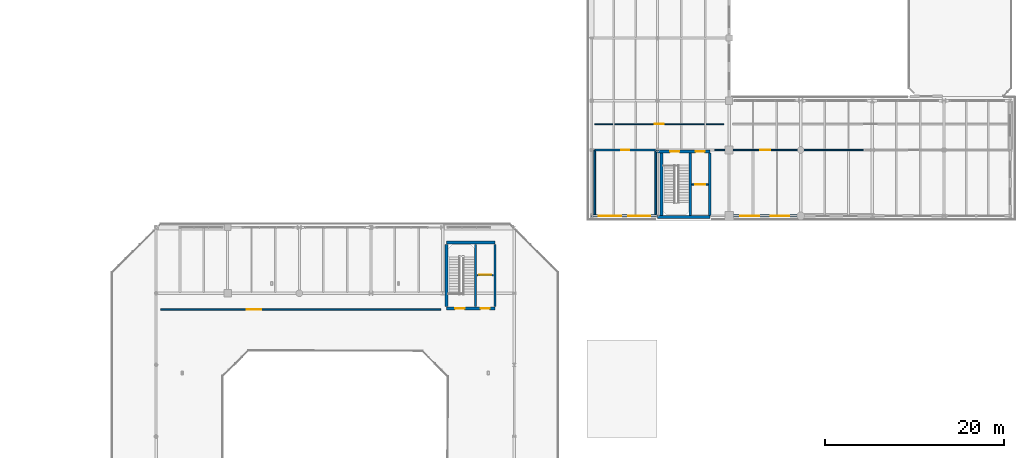
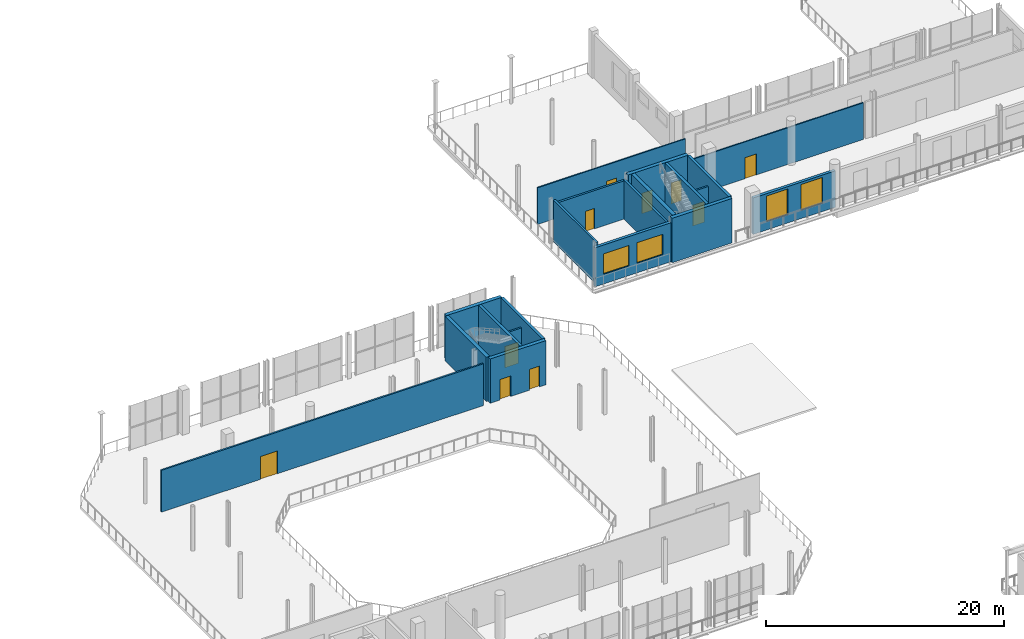
# One storey, part 36 of 51: 20 walls, 10 doors, 4 windows, 14 openings.
"""IFC4 building model written with IfcOpenShell, lengths in metres."""

from ifc_helpers import new_model, si_unit, direction, frame, frame_2d, origin, place, context, subcontext, project, spatial, rectangle, extrude, material, layer, layer_set, type_object, element, fill, save


model = new_model("IFC4")

# Units and contexts
model_context = context("Model", 3, precision=1e-05, world=origin(), true_north=direction((0.0, 1.0)))
body_context = subcontext(model_context, "Body", "Model", "MODEL_VIEW")
ifc_project = project(units=[si_unit("LENGTHUNIT", "METRE"), si_unit("AREAUNIT", "SQUARE_METRE"), si_unit("VOLUMEUNIT", "CUBIC_METRE"), si_unit("PLANEANGLEUNIT", "RADIAN"), si_unit("MASSUNIT", "GRAM", prefix="KILO")], contexts=[model_context])

# Site, building, storey
site_placement = place(None, origin())
site = spatial("IfcSite", under=ifc_project, at=site_placement, CompositionType="ELEMENT")
building_placement = place(site_placement, origin())
building = spatial("IfcBuilding", under=site, at=building_placement, Name="Brisemont Oceanarium", CompositionType="ELEMENT")
storey_placement = place(building_placement, frame((0.0, 0.0, 15.0)))
storey = spatial("IfcBuildingStorey", under=building, at=storey_placement, Name="L03", CompositionType="ELEMENT", Elevation=15.0)

# Wall, openings, windows
ifc_material_1 = material(Name="Beaux-Arts Limestone Cladding Precast Concrete C40/50", Category="masonry")
ifc_layer_1 = layer(ifc_material_1, 0.280029296875)
ifc_layer_set_1 = layer_set([ifc_layer_1], Name="Beaux-Arts Limestone Cladding Precast Concrete C40/50")
wall_type_1 = type_object("IfcWallType", Name="EW-LIME-280", PredefinedType="STANDARD", material=ifc_layer_set_1)
wall_1_placement = place(storey_placement, frame((112.64990234375, 80.64990234375, 0.0), z_axis=(0.0, 0.0, 1.0), x_axis=(1.0, 0.0, 0.0)))
wall_1 = element("IfcWall", 1, at=wall_1_placement, inside=storey, type_object=wall_type_1, Name="Beaux-Arts exterior wall EW-V6S-L03-1", PredefinedType="STANDARD", context=body_context, shape_type="SweptSolid", body=[
    extrude(rectangle(XDim=7.35009765625, YDim=0.280029296875, at=frame_2d((3.675048828125, 0.0))), origin(), (0.0, 0.0, 1.0), 4.007080078125),
])
opening_1_placement = place(wall_1_placement, frame((0.783203125, 0.0, 1.0)))
opening_1 = element("IfcOpeningElement", 2, at=opening_1_placement, cuts=wall_1, Name="Opening WIN-09", PredefinedType="OPENING", context=body_context, shape_type="SweptSolid", body=[
    extrude(rectangle(XDim=2.5, YDim=2.10009765625, at=frame_2d((1.25, 1.050048828125))), frame((0.0, 0.14990234375, 0.0), z_axis=(0.0, -1.0, 0.0), x_axis=(1.0, 0.0, 0.0)), (0.0, 0.0, 1.0), 0.300048828125),
])
opening_2_placement = place(wall_1_placement, frame((4.066650390625, 0.0, 1.0)))
opening_2 = element("IfcOpeningElement", 3, at=opening_2_placement, cuts=wall_1, Name="Opening WIN-09", PredefinedType="OPENING", context=body_context, shape_type="SweptSolid", body=[
    extrude(rectangle(XDim=2.5, YDim=2.10009765625, at=frame_2d((1.25, 1.050048828125))), frame((0.0, 0.14990234375, 0.0), z_axis=(0.0, -1.0, 0.0), x_axis=(1.0, 0.0, 0.0)), (0.0, 0.0, 1.0), 0.300048828125),
])
ifc_material_2 = material(Name="Insulated Low-E Laminated Glass", Category="glass")
window_type_1 = type_object("IfcWindowType", Name="WIN-LAB-2500X2100", PartitioningType="SINGLE_PANEL", PredefinedType="WINDOW", material=ifc_material_2)
window_1_placement = place(opening_1_placement, origin())
window_1 = element("IfcWindow", 4, at=window_1_placement, inside=storey, type_object=window_type_1, Name="WIN-09 facade window 63", OverallHeight=2.10009765625, OverallWidth=2.5, PartitioningType="SINGLE_PANEL", PredefinedType="WINDOW", context=body_context, shape_type="SweptSolid", body=[
    extrude(rectangle(XDim=2.5, YDim=2.10009765625, at=frame_2d((1.25, 1.050048828125))), frame((0.0, 0.030029296875, 0.0), z_axis=(0.0, -1.0, 0.0), x_axis=(1.0, 0.0, 0.0)), (0.0, 0.0, 1.0), 0.06005859375),
])
fill(opening_1, window_1)
window_2_placement = place(opening_2_placement, origin())
window_2 = element("IfcWindow", 5, at=window_2_placement, inside=storey, type_object=window_type_1, Name="WIN-09 facade window 64", OverallHeight=2.10009765625, OverallWidth=2.5, PartitioningType="SINGLE_PANEL", PredefinedType="WINDOW", context=body_context, shape_type="SweptSolid", body=[
    extrude(rectangle(XDim=2.5, YDim=2.10009765625, at=frame_2d((1.25, 1.050048828125))), frame((0.0, 0.030029296875, 0.0), z_axis=(0.0, -1.0, 0.0), x_axis=(1.0, 0.0, 0.0)), (0.0, 0.0, 1.0), 0.06005859375),
])
fill(opening_2, window_2)

wall_2_placement = place(storey_placement, frame((128.0, 80.64990234375, 0.0), z_axis=(0.0, 0.0, 1.0), x_axis=(1.0, 0.0, 0.0)))
wall_2 = element("IfcWall", 6, at=wall_2_placement, inside=storey, type_object=wall_type_1, Name="Beaux-Arts exterior wall EW-V6S-L03-3", PredefinedType="STANDARD", context=body_context, shape_type="SweptSolid", body=[
    extrude(rectangle(XDim=8.0, YDim=0.280029296875, at=frame_2d((4.0, 0.0))), origin(), (0.0, 0.0, 1.0), 3.739990234375),
])
opening_3_placement = place(wall_2_placement, frame((1.2666015625, 0.0, 0.85009765625)))
opening_3 = element("IfcOpeningElement", 7, at=opening_3_placement, cuts=wall_2, Name="Opening WIN-17", PredefinedType="OPENING", context=body_context, shape_type="SweptSolid", body=[
    extrude(rectangle(XDim=2.10009765625, YDim=2.64990234375, at=frame_2d((1.050048828125, 1.324951171875))), frame((0.0, 0.14990234375, 0.0), z_axis=(0.0, -1.0, 0.0), x_axis=(1.0, 0.0, 0.0)), (0.0, 0.0, 1.0), 0.300048828125),
])
opening_4_placement = place(wall_2_placement, frame((4.63330078125, 0.0, 0.85009765625)))
opening_4 = element("IfcOpeningElement", 8, at=opening_4_placement, cuts=wall_2, Name="Opening WIN-17", PredefinedType="OPENING", context=body_context, shape_type="SweptSolid", body=[
    extrude(rectangle(XDim=2.10009765625, YDim=2.64990234375, at=frame_2d((1.050048828125, 1.324951171875))), frame((0.0, 0.14990234375, 0.0), z_axis=(0.0, -1.0, 0.0), x_axis=(1.0, 0.0, 0.0)), (0.0, 0.0, 1.0), 0.300048828125),
])
ifc_material_3 = material(Name="Insulated Low-E Laminated Glass", Category="glass")
window_type_2 = type_object("IfcWindowType", Name="WIN-BA-2100X2650", PartitioningType="SINGLE_PANEL", PredefinedType="WINDOW", material=ifc_material_3)
window_3_placement = place(opening_3_placement, origin())
window_3 = element("IfcWindow", 9, at=window_3_placement, inside=storey, type_object=window_type_2, Name="WIN-17 facade window 71", OverallHeight=2.64990234375, OverallWidth=2.10009765625, PartitioningType="SINGLE_PANEL", PredefinedType="WINDOW", context=body_context, shape_type="SweptSolid", body=[
    extrude(rectangle(XDim=2.10009765625, YDim=2.64990234375, at=frame_2d((1.050048828125, 1.324951171875))), frame((0.0, 0.030029296875, 0.0), z_axis=(0.0, -1.0, 0.0), x_axis=(1.0, 0.0, 0.0)), (0.0, 0.0, 1.0), 0.06005859375),
])
fill(opening_3, window_3)
window_4_placement = place(opening_4_placement, origin())
window_4 = element("IfcWindow", 10, at=window_4_placement, inside=storey, type_object=window_type_2, Name="WIN-17 facade window 72", OverallHeight=2.64990234375, OverallWidth=2.10009765625, PartitioningType="SINGLE_PANEL", PredefinedType="WINDOW", context=body_context, shape_type="SweptSolid", body=[
    extrude(rectangle(XDim=2.10009765625, YDim=2.64990234375, at=frame_2d((1.050048828125, 1.324951171875))), frame((0.0, 0.030029296875, 0.0), z_axis=(0.0, -1.0, 0.0), x_axis=(1.0, 0.0, 0.0)), (0.0, 0.0, 1.0), 0.06005859375),
])
fill(opening_4, window_4)

# Wall, opening, door
ifc_material_4 = material(Name="Moisture-Resistant Gypsum Steel-Stud Partition", Category="steel")
ifc_layer_2 = layer(ifc_material_4, 0.159912109375)
ifc_layer_set_2 = layer_set([ifc_layer_2], Name="Moisture-Resistant Gypsum Steel-Stud Partition")
wall_type_2 = type_object("IfcWallType", Name="IW-FB-160", PredefinedType="PARTITIONING", material=ifc_layer_set_2)
wall_3_placement = place(storey_placement, frame((99.85009765625, 74.02001953125, 0.0), z_axis=(0.0, 0.0, 1.0), x_axis=(1.0, 0.0, 0.0)))
wall_3 = element("IfcWall", 11, at=wall_3_placement, inside=storey, type_object=wall_type_2, Name="Core C2 L03 lift hoistway front wall", PredefinedType="PARTITIONING", context=body_context, shape_type="SweptSolid", body=[
    extrude(rectangle(XDim=1.83984375, YDim=0.159912109375, at=frame_2d((0.919921875, 0.0))), origin(), (0.0, 0.0, 1.0), 3.60009765625),
])
opening_5_placement = place(wall_3_placement, frame((0.27001953125, 0.0, 0.0)))
opening_5 = element("IfcOpeningElement", 12, at=opening_5_placement, cuts=wall_3, Name="Opening LD-02", PredefinedType="OPENING", context=body_context, shape_type="SweptSolid", body=[
    extrude(rectangle(XDim=1.300048828125, YDim=2.199951171875, at=frame_2d((0.64990234375, 1.10009765625))), frame((0.0, 0.08984375, 0.0), z_axis=(0.0, -1.0, 0.0), x_axis=(1.0, 0.0, 0.0)), (0.0, 0.0, 1.0), 0.179931640625),
])
ifc_material_5 = material(Name="Duplex Stainless Steel EN 1.4462", Category="steel")
door_type_1 = type_object("IfcDoorType", Name="DR-LIFT-1300X2200", OperationType="NOTDEFINED", PredefinedType="DOOR", material=ifc_material_5)
door_1_placement = place(opening_5_placement, origin())
door_1 = element("IfcDoor", 13, at=door_1_placement, inside=storey, type_object=door_type_1, Name="Lift landing door LF-02 L03", OperationType="SLIDING_TO_LEFT", OverallHeight=2.199951171875, OverallWidth=1.300048828125, PredefinedType="DOOR", context=body_context, shape_type="SweptSolid", body=[
    extrude(rectangle(XDim=1.300048828125, YDim=2.199951171875, at=frame_2d((0.64990234375, 1.10009765625))), frame((0.0, 0.02490234375, 0.0), z_axis=(0.0, -1.0, 0.0), x_axis=(1.0, 0.0, 0.0)), (0.0, 0.0, 1.0), 0.050048828125),
])
fill(opening_5, door_1)

wall_4_placement = place(storey_placement, frame((123.85009765625, 84.1298828125, 0.0), z_axis=(0.0, 0.0, 1.0), x_axis=(1.0, 0.0, 0.0)))
wall_4 = element("IfcWall", 14, at=wall_4_placement, inside=storey, type_object=wall_type_2, Name="Core C7 L03 lift hoistway front wall", PredefinedType="PARTITIONING", context=body_context, shape_type="SweptSolid", body=[
    extrude(rectangle(XDim=1.83984375, YDim=0.159912109375, at=frame_2d((0.919921875, 0.0))), origin(), (0.0, 0.0, 1.0), 3.60009765625),
])
opening_6_placement = place(wall_4_placement, frame((0.3701171875, 0.0, 0.0)))
opening_6 = element("IfcOpeningElement", 15, at=opening_6_placement, cuts=wall_4, Name="Opening LD-01", PredefinedType="OPENING", context=body_context, shape_type="SweptSolid", body=[
    extrude(rectangle(XDim=1.10009765625, YDim=2.14990234375, at=frame_2d((0.550048828125, 1.074951171875))), frame((0.0, 0.08984375, 0.0), z_axis=(0.0, -1.0, 0.0), x_axis=(1.0, 0.0, 0.0)), (0.0, 0.0, 1.0), 0.179931640625),
])
ifc_material_6 = material(Name="Duplex Stainless Steel EN 1.4462", Category="steel")
door_type_2 = type_object("IfcDoorType", Name="DR-LIFT-1100X2150", OperationType="NOTDEFINED", PredefinedType="DOOR", material=ifc_material_6)
door_2_placement = place(opening_6_placement, origin())
door_2 = element("IfcDoor", 16, at=door_2_placement, inside=storey, type_object=door_type_2, Name="Lift landing door LF-07 L03", OperationType="SLIDING_TO_LEFT", OverallHeight=2.14990234375, OverallWidth=1.10009765625, PredefinedType="DOOR", context=body_context, shape_type="SweptSolid", body=[
    extrude(rectangle(XDim=1.10009765625, YDim=2.14990234375, at=frame_2d((0.550048828125, 1.074951171875))), frame((0.0, 0.02490234375, 0.0), z_axis=(0.0, -1.0, 0.0), x_axis=(1.0, 0.0, 0.0)), (0.0, 0.0, 1.0), 0.050048828125),
])
fill(opening_6, door_2)

wall_5_placement = place(storey_placement, frame((64.5, 70.199951171875, 0.0), z_axis=(0.0, 0.0, 1.0), x_axis=(1.0, 0.0, 0.0)))
wall_5 = element("IfcWall", 17, at=wall_5_placement, inside=storey, type_object=wall_type_2, Name="Beaux-Arts Rotunda Dome Overlook Gallery corridor partition", PredefinedType="PARTITIONING", context=body_context, shape_type="SweptSolid", body=[
    extrude(rectangle(XDim=31.300048828125, YDim=0.159912109375, at=frame_2d((15.64990234375, 0.0))), origin(), (0.0, 0.0, 1.0), 4.2900390625),
])
opening_7_placement = place(wall_5_placement, frame((9.603271484375, 0.0, 0.0)))
opening_7 = element("IfcOpeningElement", 18, at=opening_7_placement, cuts=wall_5, Name="Opening GD-02", PredefinedType="OPENING", context=body_context, shape_type="SweptSolid", body=[
    extrude(rectangle(XDim=1.64990234375, YDim=2.35009765625, at=frame_2d((0.824951171875, 1.175048828125))), frame((0.0, 0.08984375, 0.0), z_axis=(0.0, -1.0, 0.0), x_axis=(1.0, 0.0, 0.0)), (0.0, 0.0, 1.0), 0.179931640625),
])
ifc_material_7 = material(Name="Patinated Architectural Bronze C38500")
door_type_3 = type_object("IfcDoorType", Name="DR-GAL-1650X2350", OperationType="NOTDEFINED", PredefinedType="DOOR", material=ifc_material_7)
door_3_placement = place(opening_7_placement, origin())
door_3 = element("IfcDoor", 19, at=door_3_placement, inside=storey, type_object=door_type_3, Name="GD-02 door to Beaux-Arts Rotunda Dome Overlook Gallery", OperationType="SINGLE_SWING_RIGHT", OverallHeight=2.35009765625, OverallWidth=1.64990234375, PredefinedType="DOOR", context=body_context, shape_type="SweptSolid", body=[
    extrude(rectangle(XDim=1.64990234375, YDim=2.35009765625, at=frame_2d((0.824951171875, 1.175048828125))), frame((0.0, 0.02490234375, 0.0), z_axis=(0.0, -1.0, 0.0), x_axis=(1.0, 0.0, 0.0)), (0.0, 0.0, 1.0), 0.050048828125),
])
fill(opening_7, door_3)

ifc_material_8 = material(Name="Moisture-Resistant Gypsum Steel-Stud Partition", Category="steel")
ifc_layer_3 = layer(ifc_material_8, 0.1201171875)
ifc_layer_set_3 = layer_set([ifc_layer_3], Name="Moisture-Resistant Gypsum Steel-Stud Partition")
wall_type_3 = type_object("IfcWallType", Name="IW-PART-120", PredefinedType="PARTITIONING", material=ifc_layer_set_3)
wall_6_placement = place(storey_placement, frame((126.39990234375, 88.0, 0.0), z_axis=(0.0, 0.0, 1.0), x_axis=(1.0, 0.0, 0.0)))
wall_6 = element("IfcWall", 20, at=wall_6_placement, inside=storey, type_object=wall_type_3, Name="Ichthyology Taxonomy Curatorial Suite corridor partition", PredefinedType="PARTITIONING", context=body_context, shape_type="SweptSolid", body=[
    extrude(rectangle(XDim=16.60009765625, YDim=0.1201171875, at=frame_2d((8.300048828125, 0.0))), origin(), (0.0, 0.0, 1.0), 3.778076171875),
])
opening_8_placement = place(wall_6_placement, frame((5.06884765625, 0.0, 0.0)))
opening_8 = element("IfcOpeningElement", 21, at=opening_8_placement, cuts=wall_6, Name="Opening LB-03", PredefinedType="OPENING", context=body_context, shape_type="SweptSolid", body=[
    extrude(rectangle(XDim=1.1201171875, YDim=2.14990234375, at=frame_2d((0.56005859375, 1.074951171875))), frame((0.0, 0.070068359375, 0.0), z_axis=(0.0, -1.0, 0.0), x_axis=(1.0, 0.0, 0.0)), (0.0, 0.0, 1.0), 0.14013671875),
])
ifc_material_9 = material(Name="Duplex Stainless Steel EN 1.4462", Category="steel")
door_type_4 = type_object("IfcDoorType", Name="DR-LAB-1120X2150", OperationType="NOTDEFINED", PredefinedType="DOOR", material=ifc_material_9)
door_4_placement = place(opening_8_placement, origin())
door_4 = element("IfcDoor", 22, at=door_4_placement, inside=storey, type_object=door_type_4, Name="LB-03 door to Ichthyology Taxonomy Curatorial Suite", OperationType="SINGLE_SWING_RIGHT", OverallHeight=2.14990234375, OverallWidth=1.1201171875, PredefinedType="DOOR", context=body_context, shape_type="SweptSolid", body=[
    extrude(rectangle(XDim=1.1201171875, YDim=2.14990234375, at=frame_2d((0.56005859375, 1.074951171875))), frame((0.0, 0.02490234375, 0.0), z_axis=(0.0, -1.0, 0.0), x_axis=(1.0, 0.0, 0.0)), (0.0, 0.0, 1.0), 0.050048828125),
])
fill(opening_8, door_4)

wall_7_placement = place(storey_placement, frame((113.0, 90.89990234375, 0.0), z_axis=(0.0, 0.0, 1.0), x_axis=(1.0, 0.0, 0.0)))
wall_7 = element("IfcWall", 23, at=wall_7_placement, inside=storey, type_object=wall_type_3, Name="Invertebrate Zoology Research Workroom corridor partition", PredefinedType="PARTITIONING", context=body_context, shape_type="SweptSolid", body=[
    extrude(rectangle(XDim=14.39990234375, YDim=0.1201171875, at=frame_2d((7.199951171875, 0.0))), origin(), (0.0, 0.0, 1.0), 3.778076171875),
])
opening_9_placement = place(wall_7_placement, frame((6.719970703125, 0.0, 0.0)))
opening_9 = element("IfcOpeningElement", 24, at=opening_9_placement, cuts=wall_7, Name="Opening D-02", PredefinedType="OPENING", context=body_context, shape_type="SweptSolid", body=[
    extrude(rectangle(XDim=0.9599609375, YDim=2.10009765625, at=frame_2d((0.47998046875, 1.050048828125))), frame((0.0, 0.070068359375, 0.0), z_axis=(0.0, -1.0, 0.0), x_axis=(1.0, 0.0, 0.0)), (0.0, 0.0, 1.0), 0.14013671875),
])
ifc_material_10 = material(Name="FSC White Oak Solid-Core Fire Door")
door_type_5 = type_object("IfcDoorType", Name="DR-RM-960X2100", OperationType="NOTDEFINED", PredefinedType="DOOR", material=ifc_material_10)
door_5_placement = place(opening_9_placement, origin())
door_5 = element("IfcDoor", 25, at=door_5_placement, inside=storey, type_object=door_type_5, Name="D-02 door to Invertebrate Zoology Research Workroom", OperationType="SINGLE_SWING_RIGHT", OverallHeight=2.10009765625, OverallWidth=0.9599609375, PredefinedType="DOOR", context=body_context, shape_type="SweptSolid", body=[
    extrude(rectangle(XDim=0.9599609375, YDim=2.10009765625, at=frame_2d((0.47998046875, 1.050048828125))), frame((0.0, 0.02490234375, 0.0), z_axis=(0.0, -1.0, 0.0), x_axis=(1.0, 0.0, 0.0)), (0.0, 0.0, 1.0), 0.050048828125),
])
fill(opening_9, door_5)

ifc_material_11 = material(Name="Cementitious Tile-Backer Plumbing Wall")
ifc_layer_4 = layer(ifc_material_11, 0.199951171875)
ifc_layer_set_4 = layer_set([ifc_layer_4], Name="Cementitious Tile-Backer Plumbing Wall")
wall_type_4 = type_object("IfcWallType", Name="IW-PLUMB-200", PredefinedType="PLUMBINGWALL", material=ifc_layer_set_4)
wall_8_placement = place(storey_placement, frame((113.0, 88.0, 0.0), z_axis=(0.0, 0.0, 1.0), x_axis=(1.0, 0.0, 0.0)))
wall_8 = element("IfcWall", 26, at=wall_8_placement, inside=storey, type_object=wall_type_4, Name="Accessible WC corridor partition", PredefinedType="PLUMBINGWALL", context=body_context, shape_type="SweptSolid", body=[
    extrude(rectangle(XDim=6.800048828125, YDim=0.199951171875, at=frame_2d((3.39990234375, 0.0))), origin(), (0.0, 0.0, 1.0), 3.931884765625),
])
opening_10_placement = place(wall_8_placement, frame((2.945068359375, 0.0, 0.0)))
opening_10 = element("IfcOpeningElement", 27, at=opening_10_placement, cuts=wall_8, Name="Opening D-03", PredefinedType="OPENING", context=body_context, shape_type="SweptSolid", body=[
    extrude(rectangle(XDim=0.909912109375, YDim=2.10009765625, at=frame_2d((0.455078125, 1.050048828125))), frame((0.0, 0.10986328125, 0.0), z_axis=(0.0, -1.0, 0.0), x_axis=(1.0, 0.0, 0.0)), (0.0, 0.0, 1.0), 0.219970703125),
])
ifc_material_12 = material(Name="FSC White Oak Solid-Core Fire Door")
door_type_6 = type_object("IfcDoorType", Name="DR-WC-910X2100", OperationType="NOTDEFINED", PredefinedType="DOOR", material=ifc_material_12)
door_6_placement = place(opening_10_placement, origin())
door_6 = element("IfcDoor", 28, at=door_6_placement, inside=storey, type_object=door_type_6, Name="D-03 door to Accessible WC", OperationType="SINGLE_SWING_LEFT", OverallHeight=2.10009765625, OverallWidth=0.909912109375, PredefinedType="DOOR", context=body_context, shape_type="SweptSolid", body=[
    extrude(rectangle(XDim=0.909912109375, YDim=2.10009765625, at=frame_2d((0.455078125, 1.050048828125))), frame((0.0, 0.02490234375, 0.0), z_axis=(0.0, -1.0, 0.0), x_axis=(1.0, 0.0, 0.0)), (0.0, 0.0, 1.0), 0.050048828125),
])
fill(opening_10, door_6)

# Walls
wall_9_placement = place(storey_placement, frame((113.0, 80.800048828125, 0.0), z_axis=(0.0, 0.0, 1.0), x_axis=(0.0, 1.0, 0.0)))
element("IfcWall", 29, at=wall_9_placement, inside=storey, type_object=wall_type_4, Name="Accessible WC enclosure wall W", PredefinedType="PLUMBINGWALL", context=body_context, shape_type="SweptSolid", body=[
    extrude(rectangle(XDim=7.199951171875, YDim=0.199951171875, at=frame_2d((3.60009765625, 0.0))), origin(), (0.0, 0.0, 1.0), 4.2900390625),
])
wall_10_placement = place(storey_placement, frame((119.800048828125, 80.800048828125, 0.0), z_axis=(0.0, 0.0, 1.0), x_axis=(0.0, 1.0, 0.0)))
element("IfcWall", 30, at=wall_10_placement, inside=storey, type_object=wall_type_4, Name="Accessible WC enclosure wall E", PredefinedType="PLUMBINGWALL", context=body_context, shape_type="SweptSolid", body=[
    extrude(rectangle(XDim=7.199951171875, YDim=0.199951171875, at=frame_2d((3.60009765625, 0.0))), origin(), (0.0, 0.0, 1.0), 4.007080078125),
])
ifc_material_13 = material(Name="Concrete C40/50", Category="concrete")
ifc_layer_5 = layer(ifc_material_13, 0.260009765625)
ifc_layer_set_5 = layer_set([ifc_layer_5], Name="Concrete C40/50")
wall_type_5 = type_object("IfcWallType", Name="SW-SHAFT-260", PredefinedType="SHEAR", material=ifc_layer_set_5)
for number, where, z_axis, x_axis, name in (
    (31, (101.85009765625, 70.5, 0.0), (0.0, 0.0, 1.0), (0.0, 1.0, 0.0), "Core C2 L03 E RC shear wall"),
    (32, (99.669921875, 70.5, 0.0), (0.0, 0.0, 1.0), (0.0, 1.0, 0.0), "Core C2 L03 MID RC shear wall"),
):
    element("IfcWall", number, at=place(storey_placement, frame(where, z_axis=z_axis, x_axis=x_axis)), inside=storey, type_object=wall_type_5, Name=name, PredefinedType="SHEAR", context=body_context, shape_type="SweptSolid", body=[
        extrude(rectangle(XDim=6.949951171875, YDim=0.260009765625, at=frame_2d((3.47509765625, 0.0))), origin(), (0.0, 0.0, 1.0), 4.550048828125),
    ])
for number, where, z_axis, x_axis, name in (
    (33, (125.85009765625, 80.699951171875, 0.0), (0.0, 0.0, 1.0), (0.0, 1.0, 0.0), "Core C7 L03 E RC shear wall"),
    (34, (123.669921875, 80.699951171875, 0.0), (0.0, 0.0, 1.0), (0.0, 1.0, 0.0), "Core C7 L03 MID RC shear wall"),
):
    element("IfcWall", number, at=place(storey_placement, frame(where, z_axis=z_axis, x_axis=x_axis)), inside=storey, type_object=wall_type_5, Name=name, PredefinedType="SHEAR", context=body_context, shape_type="SweptSolid", body=[
        extrude(rectangle(XDim=6.949951171875, YDim=0.260009765625, at=frame_2d((3.47509765625, 0.0))), origin(), (0.0, 0.0, 1.0), 4.570068359375),
    ])

# Wall, openings, doors
ifc_material_14 = material(Name="Concrete C40/50", Category="concrete")
ifc_layer_6 = layer(ifc_material_14, 0.35009765625)
ifc_layer_set_6 = layer_set([ifc_layer_6], Name="Concrete C40/50")
wall_type_6 = type_object("IfcWallType", Name="SW-STAIR-350", PredefinedType="SHEAR", material=ifc_layer_set_6)
wall_11_placement = place(storey_placement, frame((96.449951171875, 70.300048828125, 0.0), z_axis=(0.0, 0.0, 1.0), x_axis=(1.0, 0.0, 0.0)))
wall_11 = element("IfcWall", 35, at=wall_11_placement, inside=storey, type_object=wall_type_6, Name="Core C2 L03 corridor RC shear wall", PredefinedType="SHEAR", context=body_context, shape_type="SweptSolid", body=[
    extrude(rectangle(XDim=5.400146484375, YDim=0.35009765625, at=frame_2d((2.7001953125, 0.0))), origin(), (0.0, 0.0, 1.0), 4.550048828125),
])
opening_11_placement = place(wall_11_placement, frame((0.949951171875, 0.0, 0.0)))
opening_11 = element("IfcOpeningElement", 36, at=opening_11_placement, cuts=wall_11, Name="Opening SD-02", PredefinedType="OPENING", context=body_context, shape_type="SweptSolid", body=[
    extrude(rectangle(XDim=1.050048828125, YDim=2.10009765625, at=frame_2d((0.52490234375, 1.050048828125))), frame((0.0, 0.18505859375, 0.0), z_axis=(0.0, -1.0, 0.0), x_axis=(1.0, 0.0, 0.0)), (0.0, 0.0, 1.0), 0.3701171875),
])
opening_12_placement = place(wall_11_placement, frame((3.800048828125, 0.0, 0.0)))
opening_12 = element("IfcOpeningElement", 37, at=opening_12_placement, cuts=wall_11, Name="Opening FD90-2", PredefinedType="OPENING", context=body_context, shape_type="SweptSolid", body=[
    extrude(rectangle(XDim=1.0, YDim=2.14990234375, at=frame_2d((0.5, 1.074951171875))), frame((0.0, 0.18505859375, 0.0), z_axis=(0.0, -1.0, 0.0), x_axis=(1.0, 0.0, 0.0)), (0.0, 0.0, 1.0), 0.3701171875),
])
ifc_material_15 = material(Name="FSC White Oak Solid-Core Fire Door")
door_type_7 = type_object("IfcDoorType", Name="DR-LOB-1000X2150", OperationType="NOTDEFINED", PredefinedType="DOOR", material=ifc_material_15)
door_7_placement = place(opening_12_placement, origin())
door_7 = element("IfcDoor", 38, at=door_7_placement, inside=storey, type_object=door_type_7, Name="Lift lobby door C2 L03", OperationType="SINGLE_SWING_LEFT", OverallHeight=2.14990234375, OverallWidth=1.0, PredefinedType="DOOR", context=body_context, shape_type="SweptSolid", body=[
    extrude(rectangle(XDim=1.0, YDim=2.14990234375, at=frame_2d((0.5, 1.074951171875))), frame((0.0, 0.02490234375, 0.0), z_axis=(0.0, -1.0, 0.0), x_axis=(1.0, 0.0, 0.0)), (0.0, 0.0, 1.0), 0.050048828125),
])
fill(opening_12, door_7)
ifc_material_16 = material(Name="Duplex Stainless Steel EN 1.4462", Category="steel")
door_type_8 = type_object("IfcDoorType", Name="DR-STAIR-1050X2100", OperationType="NOTDEFINED", PredefinedType="DOOR", material=ifc_material_16)
door_8_placement = place(opening_11_placement, origin())
door_8 = element("IfcDoor", 39, at=door_8_placement, inside=storey, type_object=door_type_8, Name="Exit stair door ST-02 L03", OperationType="SINGLE_SWING_RIGHT", OverallHeight=2.10009765625, OverallWidth=1.050048828125, PredefinedType="DOOR", context=body_context, shape_type="SweptSolid", body=[
    extrude(rectangle(XDim=1.050048828125, YDim=2.10009765625, at=frame_2d((0.52490234375, 1.050048828125))), frame((0.0, 0.02490234375, 0.0), z_axis=(0.0, -1.0, 0.0), x_axis=(1.0, 0.0, 0.0)), (0.0, 0.0, 1.0), 0.050048828125),
])
fill(opening_11, door_8)

# Walls
wall_12_placement = place(storey_placement, frame((96.449951171875, 77.64990234375, 0.0), z_axis=(0.0, 0.0, 1.0), x_axis=(1.0, 0.0, 0.0)))
element("IfcWall", 40, at=wall_12_placement, inside=storey, type_object=wall_type_6, Name="Core C2 L03 BCK RC shear wall", PredefinedType="SHEAR", context=body_context, shape_type="SweptSolid", body=[
    extrude(rectangle(XDim=5.400146484375, YDim=0.35009765625, at=frame_2d((2.7001953125, 0.0))), origin(), (0.0, 0.0, 1.0), 4.550048828125),
])
wall_13_placement = place(storey_placement, frame((96.449951171875, 70.5, 0.0), z_axis=(0.0, 0.0, 1.0), x_axis=(0.0, 1.0, 0.0)))
element("IfcWall", 41, at=wall_13_placement, inside=storey, type_object=wall_type_6, Name="Core C2 L03 W RC shear wall", PredefinedType="SHEAR", context=body_context, shape_type="SweptSolid", body=[
    extrude(rectangle(XDim=6.949951171875, YDim=0.35009765625, at=frame_2d((3.47509765625, 0.0))), origin(), (0.0, 0.0, 1.0), 4.550048828125),
])

# Wall, openings, doors
wall_14_placement = place(storey_placement, frame((120.0, 87.85009765625, 0.0), z_axis=(0.0, 0.0, 1.0), x_axis=(1.0, 0.0, 0.0)))
wall_14 = element("IfcWall", 42, at=wall_14_placement, inside=storey, type_object=wall_type_6, Name="Core C7 L03 corridor RC shear wall", PredefinedType="SHEAR", context=body_context, shape_type="SweptSolid", body=[
    extrude(rectangle(XDim=5.85009765625, YDim=0.35009765625, at=frame_2d((2.925048828125, 0.0))), origin(), (0.0, 0.0, 1.0), 4.570068359375),
])
opening_13_placement = place(wall_14_placement, frame((1.39990234375, 0.0, 0.0)))
opening_13 = element("IfcOpeningElement", 43, at=opening_13_placement, cuts=wall_14, Name="Opening SD-02", PredefinedType="OPENING", context=body_context, shape_type="SweptSolid", body=[
    extrude(rectangle(XDim=1.050048828125, YDim=2.10009765625, at=frame_2d((0.52490234375, 1.050048828125))), frame((0.0, 0.18505859375, 0.0), z_axis=(0.0, -1.0, 0.0), x_axis=(1.0, 0.0, 0.0)), (0.0, 0.0, 1.0), 0.3701171875),
])
opening_14_placement = place(wall_14_placement, frame((4.25, 0.0, 0.0)))
opening_14 = element("IfcOpeningElement", 44, at=opening_14_placement, cuts=wall_14, Name="Opening FD90-2", PredefinedType="OPENING", context=body_context, shape_type="SweptSolid", body=[
    extrude(rectangle(XDim=1.0, YDim=2.14990234375, at=frame_2d((0.5, 1.074951171875))), frame((0.0, 0.18505859375, 0.0), z_axis=(0.0, -1.0, 0.0), x_axis=(1.0, 0.0, 0.0)), (0.0, 0.0, 1.0), 0.3701171875),
])
door_9_placement = place(opening_14_placement, origin())
door_9 = element("IfcDoor", 45, at=door_9_placement, inside=storey, type_object=door_type_7, Name="Lift lobby door C7 L03", OperationType="SINGLE_SWING_RIGHT", OverallHeight=2.14990234375, OverallWidth=1.0, PredefinedType="DOOR", context=body_context, shape_type="SweptSolid", body=[
    extrude(rectangle(XDim=1.0, YDim=2.14990234375, at=frame_2d((0.5, 1.074951171875))), frame((0.0, 0.02490234375, 0.0), z_axis=(0.0, -1.0, 0.0), x_axis=(1.0, 0.0, 0.0)), (0.0, 0.0, 1.0), 0.050048828125),
])
fill(opening_14, door_9)
door_10_placement = place(opening_13_placement, origin())
door_10 = element("IfcDoor", 46, at=door_10_placement, inside=storey, type_object=door_type_8, Name="Exit stair door ST-07 L03", OperationType="SINGLE_SWING_LEFT", OverallHeight=2.10009765625, OverallWidth=1.050048828125, PredefinedType="DOOR", context=body_context, shape_type="SweptSolid", body=[
    extrude(rectangle(XDim=1.050048828125, YDim=2.10009765625, at=frame_2d((0.52490234375, 1.050048828125))), frame((0.0, 0.02490234375, 0.0), z_axis=(0.0, -1.0, 0.0), x_axis=(1.0, 0.0, 0.0)), (0.0, 0.0, 1.0), 0.050048828125),
])
fill(opening_13, door_10)

# Walls
wall_15_placement = place(storey_placement, frame((120.0, 80.5, 0.0), z_axis=(0.0, 0.0, 1.0), x_axis=(1.0, 0.0, 0.0)))
element("IfcWall", 47, at=wall_15_placement, inside=storey, type_object=wall_type_6, Name="Core C7 L03 BCK RC shear wall", PredefinedType="SHEAR", context=body_context, shape_type="SweptSolid", body=[
    extrude(rectangle(XDim=5.85009765625, YDim=0.35009765625, at=frame_2d((2.925048828125, 0.0))), origin(), (0.0, 0.0, 1.0), 4.570068359375),
])
wall_16_placement = place(storey_placement, frame((120.449951171875, 80.699951171875, 0.0), z_axis=(0.0, 0.0, 1.0), x_axis=(0.0, 1.0, 0.0)))
element("IfcWall", 48, at=wall_16_placement, inside=storey, type_object=wall_type_6, Name="Core C7 L03 W RC shear wall", PredefinedType="SHEAR", context=body_context, shape_type="SweptSolid", body=[
    extrude(rectangle(XDim=6.949951171875, YDim=0.35009765625, at=frame_2d((3.47509765625, 0.0))), origin(), (0.0, 0.0, 1.0), 4.570068359375),
])

save(model, "model.ifc")
